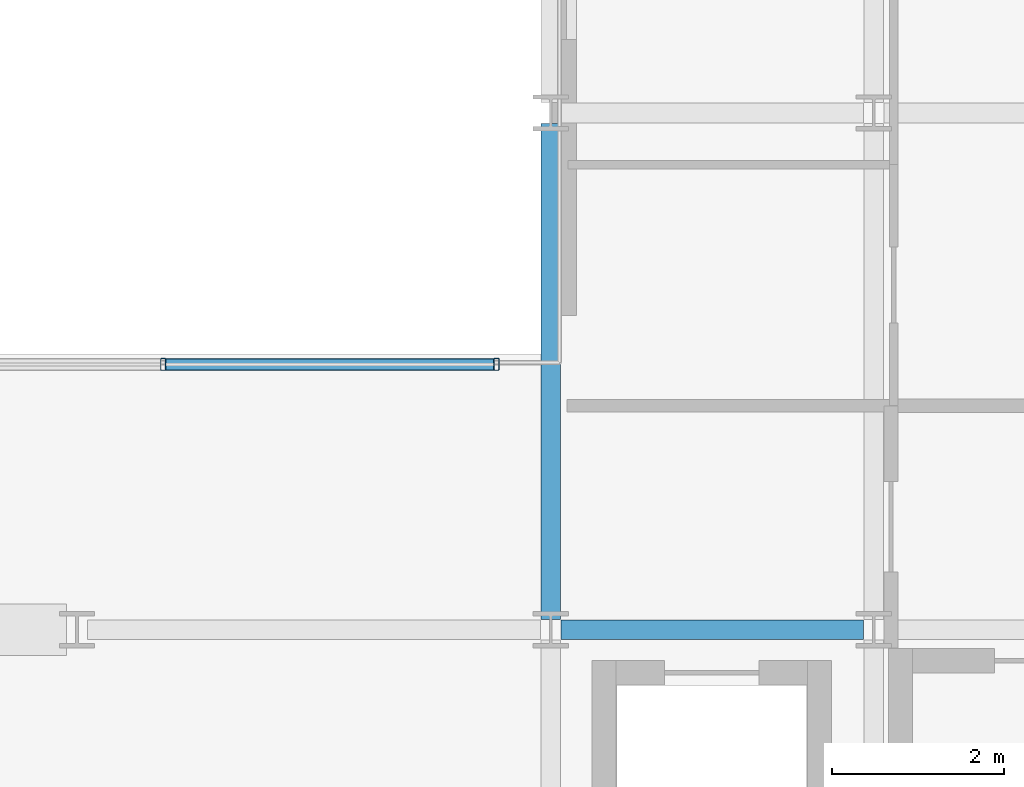
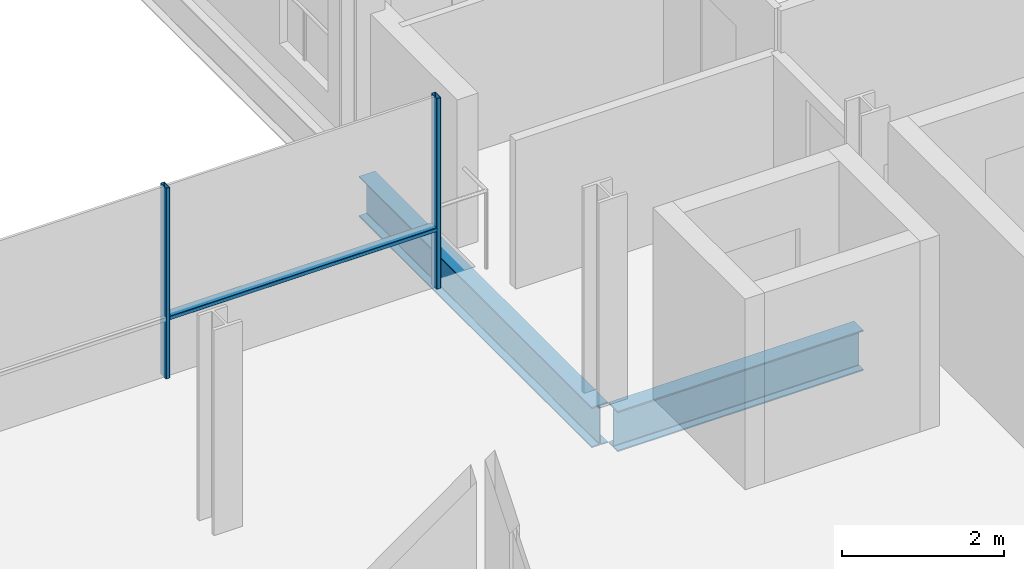
# One storey, part 13 of 40: 3 members, 2 beams, 1 element without a shape of its own.
"""IFC4 building model written with IfcOpenShell, lengths in metres."""

from ifc_helpers import new_model, si_unit, direction, frame, origin, origin_2d, place, context, subcontext, project, spatial, hollow_rectangle, i_section, extrude, material, layer, layer_set, material_profile, profile_set, type_object, element, aggregate, save


model = new_model("IFC4")

# Units and contexts
model_context = context("Model", 3, precision=1e-05, world=origin(), true_north=direction((0.0, 1.0)))
body_context = subcontext(model_context, "Body", "Model", "MODEL_VIEW")
ifc_project = project(units=[si_unit("LENGTHUNIT", "METRE"), si_unit("AREAUNIT", "SQUARE_METRE"), si_unit("VOLUMEUNIT", "CUBIC_METRE"), si_unit("PLANEANGLEUNIT", "RADIAN"), si_unit("MASSUNIT", "GRAM", prefix="KILO")], contexts=[model_context])

# Site, building, storey
site_placement = place(None, origin())
site = spatial("IfcSite", under=ifc_project, at=site_placement, CompositionType="ELEMENT")
building_placement = place(site_placement, origin())
building = spatial("IfcBuilding", under=site, at=building_placement, Name="Brevholm Reach", CompositionType="ELEMENT")
storey_placement = place(building_placement, frame((0.0, 0.0, 119.0)))
storey = spatial("IfcBuildingStorey", under=building, at=storey_placement, Name="L35", CompositionType="ELEMENT", Elevation=119.0)

# Beams
ifc_material_1 = material(Name="Structural Steel S355J2", Category="steel")
ifc_material_profile_1 = material_profile(ifc_material_1, i_section(OverallWidth=0.22900390625, OverallDepth=0.6123046875, WebThickness=0.011962890625, FlangeThickness=0.01953125, FilletRadius=0.0126953125, at=origin_2d()), Name="UKB 610x229x125")
ifc_profile_set_1 = profile_set([ifc_material_profile_1], Name="Structural Steel S355J2")
beam_type = type_object("IfcBeamType", Name="BM-SP610", PredefinedType="SPANDREL", material=ifc_profile_set_1)
beam_1_placement = place(storey_placement, frame((38.3701171875, 10.0, -0.526123046875), z_axis=(1.0, 0.0, 0.0), x_axis=(0.0, 1.0, 0.0)))
element("IfcBeam", 1, at=beam_1_placement, inside=storey, type_object=beam_type, Name="L35 SP-01 Framing Beam", PredefinedType="SPANDREL", context=body_context, shape_type="SweptSolid", body=[
    extrude(i_section(OverallWidth=0.22900390625, OverallDepth=0.6123046875, WebThickness=0.011962890625, FlangeThickness=0.01953125, FilletRadius=0.0126953125, at=origin_2d()), origin(), (0.0, 0.0, 1.0), 3.509765625),
])
beam_2_placement = place(storey_placement, frame((38.25, 10.1201171875, -0.526123046875), z_axis=(0.0, 1.0, 0.0), x_axis=(-1.0, 0.0, 0.0)))
element("IfcBeam", 2, at=beam_2_placement, inside=storey, type_object=beam_type, Name="L35 SP-01 Framing Beam", PredefinedType="SPANDREL", context=body_context, shape_type="SweptSolid", body=[
    extrude(i_section(OverallWidth=0.22900390625, OverallDepth=0.6123046875, WebThickness=0.011962890625, FlangeThickness=0.01953125, FilletRadius=0.0126953125, at=origin_2d()), origin(), (0.0, 0.0, 1.0), 5.759765625),
])

# Curtain wall, members
ifc_material_2 = material(Name="Dark Anodised Aluminium 6063-T6 and Solar-Control Glass", Category="aluminium")
ifc_layer = layer(ifc_material_2, 0.139892578125)
ifc_layer_set = layer_set([ifc_layer], Name="Dark Anodised Aluminium 6063-T6 and Solar-Control Glass")
curtain_wall_type = type_object("IfcCurtainWallType", Name="CW-02", PredefinedType="NOTDEFINED", material=ifc_layer_set)
curtain_wall_placement = place(storey_placement, origin())
curtain_wall = element("IfcCurtainWall", 3, at=curtain_wall_placement, inside=storey, type_object=curtain_wall_type, Name="L35 Curtain Wall CW-02", PredefinedType="NOTDEFINED")
ifc_material_3 = material(Name="Dark Anodised Aluminium 6063-T6", Category="aluminium")
ifc_material_profile_2 = material_profile(ifc_material_3, hollow_rectangle(XDim=0.06005859375, YDim=0.139892578125, WallThickness=0.0048828125, InnerFilletRadius=0.0048828125, OuterFilletRadius=0.010009765625, at=origin_2d()), Name="RHS 140x60x5")
ifc_profile_set_2 = profile_set([ifc_material_profile_2], Name="Dark Anodised Aluminium 6063-T6")
member_type_1 = type_object("IfcMemberType", Name="CWM-140", PredefinedType="MULLION", material=ifc_profile_set_2)
member_1_placement = place(storey_placement, frame((33.75, 13.080078125, 0.0), z_axis=(0.0, 0.0, 1.0), x_axis=(1.0, 0.0, 0.0)))
member_1 = element("IfcMember", 4, at=member_1_placement, type_object=member_type_1, Name="CM-140 Mullion 4", PredefinedType="MULLION", context=body_context, shape_type="SweptSolid", body=[
    extrude(hollow_rectangle(XDim=0.06005859375, YDim=0.139892578125, WallThickness=0.0048828125, InnerFilletRadius=0.0048828125, OuterFilletRadius=0.010009765625, at=origin_2d()), origin(), (0.0, 0.0, 1.0), 2.8798828125),
])
member_2_placement = place(storey_placement, frame((37.6201171875, 13.080078125, 0.0), z_axis=(0.0, 0.0, 1.0), x_axis=(1.0, 0.0, 0.0)))
member_2 = element("IfcMember", 5, at=member_2_placement, type_object=member_type_1, Name="CM-140 Mullion 5", PredefinedType="MULLION", context=body_context, shape_type="SweptSolid", body=[
    extrude(hollow_rectangle(XDim=0.06005859375, YDim=0.139892578125, WallThickness=0.0048828125, InnerFilletRadius=0.0048828125, OuterFilletRadius=0.010009765625, at=origin_2d()), origin(), (0.0, 0.0, 1.0), 2.8798828125),
])
ifc_material_4 = material(Name="Dark Anodised Aluminium 6063-T6", Category="aluminium")
ifc_material_profile_3 = material_profile(ifc_material_4, hollow_rectangle(XDim=0.06005859375, YDim=0.139892578125, WallThickness=0.0048828125, InnerFilletRadius=0.0048828125, OuterFilletRadius=0.010009765625, at=origin_2d()), Name="RHS 140x60x5")
ifc_profile_set_3 = profile_set([ifc_material_profile_3], Name="Dark Anodised Aluminium 6063-T6")
member_type_2 = type_object("IfcMemberType", Name="CWT-140", PredefinedType="NOTDEFINED", material=ifc_profile_set_3)
member_3_placement = place(storey_placement, frame((33.780029296875, 13.080078125, 0.89990234375), z_axis=(1.0, 0.0, 0.0), x_axis=(0.0, 0.0, 1.0)))
member_3 = element("IfcMember", 6, at=member_3_placement, type_object=member_type_2, Name="CT-140 Transom 4.1", ObjectType="TRANSOM", PredefinedType="USERDEFINED", context=body_context, shape_type="SweptSolid", body=[
    extrude(hollow_rectangle(XDim=0.06005859375, YDim=0.139892578125, WallThickness=0.0048828125, InnerFilletRadius=0.0048828125, OuterFilletRadius=0.010009765625, at=origin_2d()), origin(), (0.0, 0.0, 1.0), 3.81005859375),
])
aggregate(curtain_wall, [member_1, member_2, member_3])

save(model, "model.ifc")
